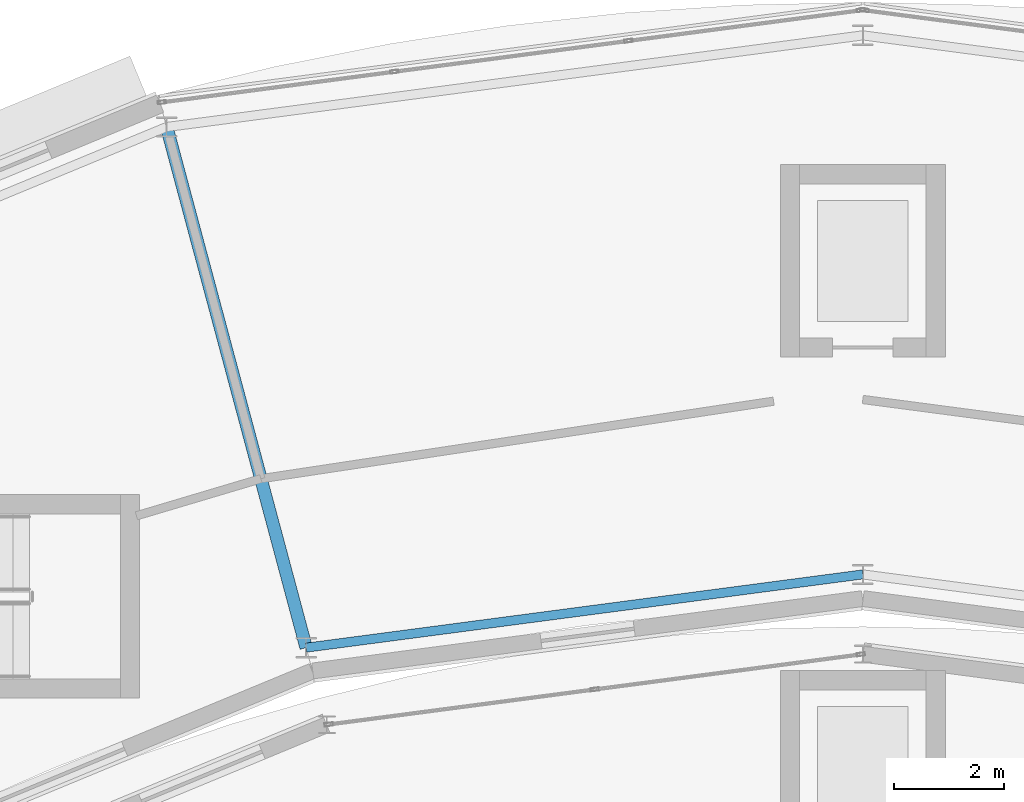
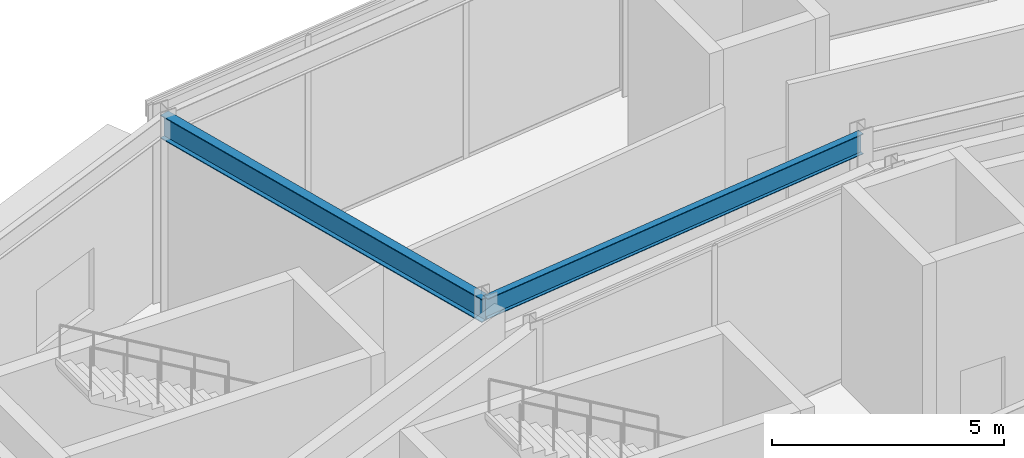
# One storey, part 81 of 168: 2 beams.
"""IFC4 building model written with IfcOpenShell, lengths in metres."""

from ifc_helpers import new_model, si_unit, direction, frame, origin, origin_2d, place, context, subcontext, project, spatial, i_section, extrude, material, material_profile, profile_set, type_object, element, save


model = new_model("IFC4")

# Units and contexts
model_context = context("Model", 3, precision=1e-05, world=origin(), true_north=direction((0.0, 1.0)))
body_context = subcontext(model_context, "Body", "Model", "MODEL_VIEW")
ifc_project = project(units=[si_unit("LENGTHUNIT", "METRE"), si_unit("AREAUNIT", "SQUARE_METRE"), si_unit("VOLUMEUNIT", "CUBIC_METRE"), si_unit("PLANEANGLEUNIT", "RADIAN"), si_unit("MASSUNIT", "GRAM", prefix="KILO")], contexts=[model_context])

# Site, building, storey
site_placement = place(None, origin())
site = spatial("IfcSite", under=ifc_project, at=site_placement, CompositionType="ELEMENT")
building_placement = place(site_placement, origin())
building = spatial("IfcBuilding", under=site, at=building_placement, Name="Almandine Court Research Institute", CompositionType="ELEMENT")
storey_placement = place(building_placement, origin())
storey = spatial("IfcBuildingStorey", under=building, at=storey_placement, Name="L00", CompositionType="ELEMENT", Elevation=0.0)

# Beams
ifc_material = material(Name="Steel ASTM A992 Grade 50", Category="steel")
ifc_material_profile_1 = material_profile(ifc_material, i_section(OverallWidth=0.22998046875, OverallDepth=0.616943359375, WebThickness=0.012939453125, FlangeThickness=0.02197265625, at=origin_2d()), Name="W610x140")
ifc_profile_set_1 = profile_set([ifc_material_profile_1], Name="Steel ASTM A992 Grade 50")
beam_type_1 = type_object("IfcBeamType", Name="Beam-G-02", PredefinedType="BEAM", material=ifc_profile_set_1)
beam_1_placement = place(storey_placement, frame((76.8798828125, 93.76806640625, 4.760986328125), z_axis=(-0.258774274024, 0.965937821551, 0.0), x_axis=(-0.965937821551, -0.258774274024, 0.0)))
element("IfcBeam", 1, at=beam_1_placement, inside=storey, type_object=beam_type_1, Name="L00 Drum Radial Girder 07", PredefinedType="BEAM", context=body_context, shape_type="SweptSolid", body=[
    extrude(i_section(OverallWidth=0.22998046875, OverallDepth=0.616943359375, WebThickness=0.012939453125, FlangeThickness=0.02197265625, at=origin_2d()), origin(), (0.0, 0.0, 1.0), 9.799560546875),
])
ifc_material_profile_2 = material_profile(ifc_material, i_section(OverallWidth=0.166015625, OverallDepth=0.534912109375, WebThickness=0.010009765625, FlangeThickness=0.01708984375, at=origin_2d()), Name="W530x85")
ifc_profile_set_2 = profile_set([ifc_material_profile_2], Name="Steel ASTM A992 Grade 50")
beam_type_2 = type_object("IfcBeamType", Name="Beam-G-05-E", PredefinedType="SPANDREL", material=ifc_profile_set_2)
beam_2_placement = place(storey_placement, frame((87.0, 95.10009765625, 4.802978515625), z_axis=(-0.991448758831, -0.130496584681, 0.0), x_axis=(0.130496584681, -0.991448758831, 0.0)))
element("IfcBeam", 2, at=beam_2_placement, inside=storey, type_object=beam_type_2, Name="L00 Drum IN Ring Beam 06", PredefinedType="SPANDREL", context=body_context, shape_type="SweptSolid", body=[
    extrude(i_section(OverallWidth=0.166015625, OverallDepth=0.534912109375, WebThickness=0.010009765625, FlangeThickness=0.01708984375, at=origin_2d()), origin(), (0.0, 0.0, 1.0), 10.20751953125),
])

save(model, "model.ifc")
